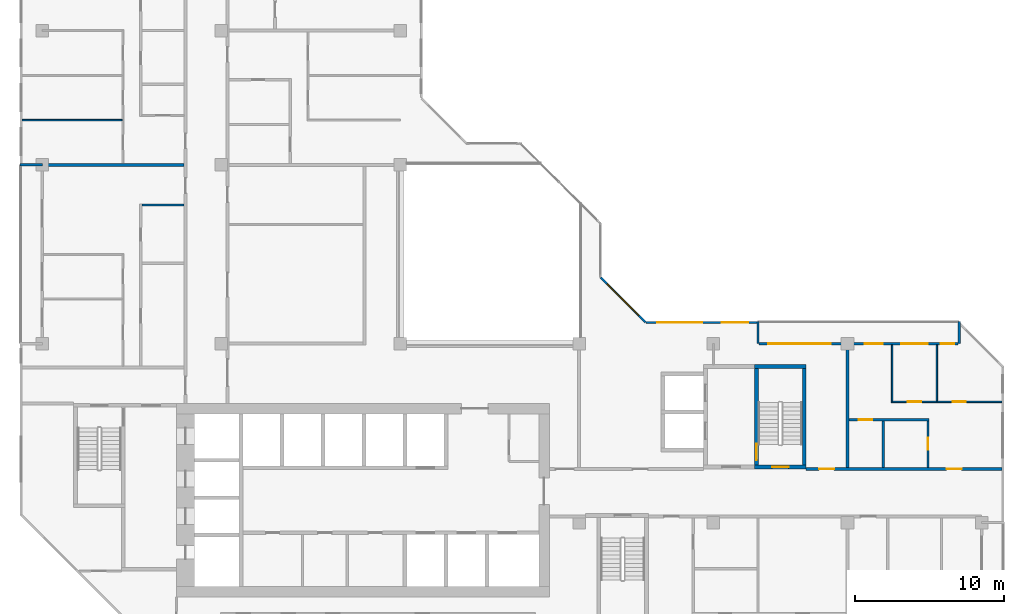
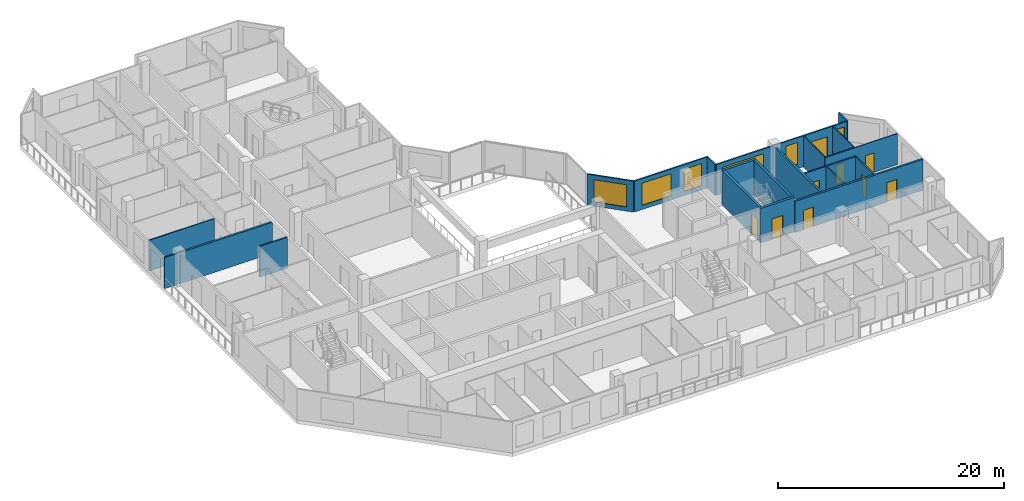
# One storey, part 8 of 16: 21 walls, 9 doors, 6 windows, 15 openings.
"""IFC4 building model written with IfcOpenShell, lengths in metres."""

import ifcopenshell
import ifcopenshell.guid

model = None  # the IFC model being written
_history = None  # IfcOwnerHistory: only IFC2X3 demands one
_inside = {}  # id of a spatial element -> (the spatial element, [elements in it])
_under = {}  # id of a project, library or spatial element -> (it, [spatial elements below it])
_declared = {}  # id of a project -> (the project, [libraries it declares])
_typed = {}  # id of a type object -> (the type object, [elements of that type])
_made_of = {}  # id of a material, layer set ... -> (it, [elements and type objects made of it])


def new_model(schema):
    """Start an empty IFC model of exactly this schema.

    Asked for "IFC4X3", IfcOpenShell would pick the latest addendum, in which some entities
    have other attributes; the version numbers below select the first issue.
    IFC2X3 requires an IfcOwnerHistory on every rooted entity: one is made here for all.
    """
    global model, _history
    if schema == "IFC4X3":
        model = ifcopenshell.file(schema_version=(4, 3, 0, 0))
    else:
        model = ifcopenshell.file(schema=schema)
    _inside.clear()
    _under.clear()
    _declared.clear()
    _typed.clear()
    _made_of.clear()
    _history = None
    if model.schema == "IFC2X3":
        org = make("IfcOrganization", Name="unknown")
        user = make(
            "IfcPersonAndOrganization",
            ThePerson=make("IfcPerson", FamilyName="unknown"),
            TheOrganization=org,
        )
        app = make(
            "IfcApplication",
            ApplicationDeveloper=org,
            Version="unknown",
            ApplicationFullName="unknown",
            ApplicationIdentifier="unknown",
        )
        _history = make(
            "IfcOwnerHistory",
            OwningUser=user,
            OwningApplication=app,
            ChangeAction="ADDED",
            CreationDate=0,
        )
    return model


def make(cls, **values):
    """One entity of the class cls with the attributes given. An attribute that is None is left unset."""
    return model.create_entity(
        cls, **{name: value for name, value in values.items() if value is not None}
    )


def rooted(cls, **values):
    """An entity with a GlobalId (a new one), such as an element, a storey or a relation."""
    return make(cls, GlobalId=ifcopenshell.guid.new(), OwnerHistory=_history, **values)


def si_unit(unit_type, name, prefix=None):
    """IfcSIUnit, for example si_unit("LENGTHUNIT", "METRE", prefix="MILLI")."""
    return make("IfcSIUnit", UnitType=unit_type, Prefix=prefix, Name=name)


def assignment(units):
    """IfcUnitAssignment: the units of a project."""
    return None if units is None else make("IfcUnitAssignment", Units=units)


def point(xyz):
    """IfcCartesianPoint."""
    return None if xyz is None else make("IfcCartesianPoint", Coordinates=xyz)


def direction(xyz):
    """IfcDirection."""
    return None if xyz is None else make("IfcDirection", DirectionRatios=xyz)


def frame(location, z_axis=None, x_axis=None):
    """IfcAxis2Placement3D, a coordinate frame: its origin and axes. An axis left out is left unset."""
    return make(
        "IfcAxis2Placement3D",
        Location=point(location),
        Axis=direction(z_axis),
        RefDirection=direction(x_axis),
    )


def frame_2d(location, x_axis=None):
    """IfcAxis2Placement2D, a coordinate frame in the plane: its origin and x axis."""
    return make(
        "IfcAxis2Placement2D", Location=point(location), RefDirection=direction(x_axis)
    )


def origin():
    """The frame at (0, 0, 0) with its axes left unset."""
    return frame((0.0, 0.0, 0.0))


def place(relative_to, where):
    """IfcLocalPlacement: puts the frame where relative to a parent placement (None: the world)."""
    return make(
        "IfcLocalPlacement", PlacementRelTo=relative_to, RelativePlacement=where
    )


def context(
    kind, dimensions, precision=None, world=None, true_north=None, identifier=None
):
    """IfcGeometricRepresentationContext, for example the 3D "Model" context."""
    return make(
        "IfcGeometricRepresentationContext",
        ContextIdentifier=identifier,
        ContextType=kind,
        CoordinateSpaceDimension=dimensions,
        Precision=precision,
        WorldCoordinateSystem=world,
        TrueNorth=true_north,
    )


def subcontext(parent, identifier, kind, view, scale=None):
    """IfcGeometricRepresentationSubContext, for example "Body" below "Model"."""
    return make(
        "IfcGeometricRepresentationSubContext",
        ContextIdentifier=identifier,
        ContextType=kind,
        ParentContext=parent,
        TargetScale=scale,
        TargetView=view,
    )


def project(units=None, contexts=None):
    """IfcProject with its units and contexts."""
    return rooted(
        "IfcProject",
        Name="project",
        RepresentationContexts=contexts,
        UnitsInContext=assignment(units),
    )


def spatial(cls, under=None, at=None, **own):
    """A site, building, storey or space (cls), placed at a placement, below another one or the project."""
    s = rooted(cls, ObjectPlacement=at, **own)
    if under is not None:
        _under.setdefault(under.id(), (under, []))[1].append(s)
    return s


def profile(cls, at=None, kind="AREA", **sizes):
    """A parametric profile (cls). Its sizes go by their IFC names, for example OverallWidth=200.0."""
    return make(cls, ProfileType=kind, Position=at, **sizes)


def rectangle(**sizes):
    """IfcRectangleProfileDef."""
    return profile("IfcRectangleProfileDef", **sizes)


def extrude(swept, where, along, depth):
    """IfcExtrudedAreaSolid: the profile swept, set in the frame where, extruded along a direction by depth."""
    return make(
        "IfcExtrudedAreaSolid",
        SweptArea=swept,
        Position=where,
        ExtrudedDirection=direction(along),
        Depth=depth,
    )


def shape(context_of_items, identifier, shape_type, items):
    """IfcShapeRepresentation: the items that make up one representation, for example the "Body"."""
    return make(
        "IfcShapeRepresentation",
        ContextOfItems=context_of_items,
        RepresentationIdentifier=identifier,
        RepresentationType=shape_type,
        Items=items,
    )


def material(Name=None, Category=None):
    """IfcMaterial."""
    return make("IfcMaterial", Name=Name, Category=Category)


def layer(
    of_material, thickness, ventilated=None, Name=None, Category=None, Priority=None
):
    """IfcMaterialLayer: one layer of a wall or slab, of a material (None: an air gap)."""
    return make(
        "IfcMaterialLayer",
        Material=of_material,
        LayerThickness=thickness,
        IsVentilated=ventilated,
        Name=Name,
        Category=Category,
        Priority=Priority,
    )


def layer_set(layers, Name=None):
    """IfcMaterialLayerSet."""
    return make("IfcMaterialLayerSet", MaterialLayers=layers, LayerSetName=Name)


def made_of(thing, what):
    """Note that an element or type object is made of a material, layer set ...; save() writes the relation."""
    if what is not None:
        _made_of.setdefault(what.id(), (what, []))[1].append(thing)
    return thing


def type_object(cls, material=None, **own):
    """A type object (cls), such as IfcWallType, which elements share."""
    return made_of(rooted(cls, **own), material)


def element(
    cls,
    number,
    at=None,
    inside=None,
    cuts=None,
    type_object=None,
    material=None,
    context=None,
    identifier="Body",
    shape_type=None,
    held_by="IfcProductDefinitionShape",
    body=None,
    shapes=None,
    **own,
):
    """One element of the class cls, such as IfcWall. Its Tag is "e" and its number.

    at: its placement. inside: the storey or other place that contains it. cuts: it is an
    opening in that element (IfcRelVoidsElement). A single representation is given by context,
    identifier, shape_type and body (its items); several are given by shapes. held_by: the class
    of the entity that holds the representations. save() writes the other relations.
    """
    e = rooted(cls, Tag="e%d" % number, ObjectPlacement=at, **own)
    if body is not None:
        shapes = [shape(context, identifier, shape_type, body)]
    if shapes is not None:
        e.Representation = make(held_by, Representations=shapes)
    if inside is not None:
        _inside.setdefault(inside.id(), (inside, []))[1].append(e)
    if cuts is not None:
        rooted(
            "IfcRelVoidsElement", RelatingBuildingElement=cuts, RelatedOpeningElement=e
        )
    if type_object is not None:
        _typed.setdefault(type_object.id(), (type_object, []))[1].append(e)
    return made_of(e, material)


def fill(opening, filler):
    """IfcRelFillsElement: the door or window that sits in an opening."""
    return rooted(
        "IfcRelFillsElement",
        RelatingOpeningElement=opening,
        RelatedBuildingElement=filler,
    )


def aggregate(whole, parts):
    """IfcRelAggregates: a whole, such as a stair, and the parts it consists of."""
    return rooted("IfcRelAggregates", RelatingObject=whole, RelatedObjects=parts)


def save(model, path):
    """Write the relations noted so far, then the file.

    IfcRelAggregates (storeys below a building ...), IfcRelContainedInSpatialStructure (elements
    in a storey), IfcRelDefinesByType, IfcRelAssociatesMaterial and IfcRelDeclares: one each for
    every whole, place, type object, material and project.
    """
    for whole, parts in _under.values():
        aggregate(whole, parts)
    for where, things in _inside.values():
        rooted(
            "IfcRelContainedInSpatialStructure",
            RelatedElements=things,
            RelatingStructure=where,
        )
    for kind, things in _typed.values():
        rooted("IfcRelDefinesByType", RelatedObjects=things, RelatingType=kind)
    for what, things in _made_of.values():
        rooted("IfcRelAssociatesMaterial", RelatedObjects=things, RelatingMaterial=what)
    for by, libraries in _declared.values():
        rooted("IfcRelDeclares", RelatingContext=by, RelatedDefinitions=libraries)
    model.write(path)


model = new_model("IFC4")

# Units and contexts
model_context = context("Model", 3, precision=1e-05, world=origin(), true_north=direction((0.0, 1.0)))
body_context = subcontext(model_context, "Body", "Model", "MODEL_VIEW")
ifc_project = project(units=[si_unit("LENGTHUNIT", "METRE"), si_unit("AREAUNIT", "SQUARE_METRE"), si_unit("VOLUMEUNIT", "CUBIC_METRE"), si_unit("PLANEANGLEUNIT", "RADIAN"), si_unit("MASSUNIT", "GRAM", prefix="KILO")], contexts=[model_context])

# Site, building, storey
site_placement = place(None, origin())
site = spatial("IfcSite", under=ifc_project, at=site_placement, CompositionType="ELEMENT")
building_placement = place(site_placement, origin())
building = spatial("IfcBuilding", under=site, at=building_placement, Name="Chenar Terraces", CompositionType="ELEMENT")
storey_placement = place(building_placement, frame((0.0, 0.0, 222.89990234375)))
storey = spatial("IfcBuildingStorey", under=building, at=storey_placement, Name="L52", CompositionType="ELEMENT", Elevation=222.89990234375)

# Wall, opening, door
ifc_material_1 = material(Name="Concrete C60/75", Category="concrete")
ifc_layer_1 = layer(ifc_material_1, 0.25)
ifc_layer_set_1 = layer_set([ifc_layer_1], Name="Concrete C60/75")
wall_type_1 = type_object("IfcWallType", Name="Core wall 250 Concrete C60/75", PredefinedType="SHEAR", material=ifc_layer_set_1)
wall_1_placement = place(storey_placement, frame((47.77490234375, 15.72509765625, 0.0), z_axis=(0.0, 0.0, 1.0), x_axis=(1.0, 0.0, 0.0)))
wall_1 = element("IfcWall", 1, at=wall_1_placement, inside=storey, type_object=wall_type_1, Name="Core wall ST3_S L52", PredefinedType="SHEAR", context=body_context, shape_type="SweptSolid", body=[
    extrude(rectangle(XDim=3.4501953125, YDim=0.25, at=frame_2d((1.72509765625, 0.0))), origin(), (0.0, 0.0, 1.0), 3.75),
])
opening_1_placement = place(wall_1_placement, frame((1.175048828125, 0.0, 0.0)))
opening_1 = element("IfcOpeningElement", 2, at=opening_1_placement, cuts=wall_1, Name="Opening DL52-C8", PredefinedType="OPENING", context=body_context, shape_type="SweptSolid", body=[
    extrude(rectangle(XDim=1.10009765625, YDim=2.199951171875, at=frame_2d((0.550048828125, 1.10009765625))), frame((0.0, 0.135009765625, 0.0), z_axis=(0.0, -1.0, 0.0), x_axis=(1.0, 0.0, 0.0)), (0.0, 0.0, 1.0), 0.27001953125),
])
ifc_material_2 = material(Name="Steel-framed fire-resisting door leaf", Category="steel")
door_type_1 = type_object("IfcDoorType", Name="Stair fire door FD60 1100 x 2200", OperationType="SINGLE_SWING_LEFT", PredefinedType="DOOR", material=ifc_material_2)
door_1_placement = place(opening_1_placement, frame((1.10009765625, 0.0, 0.0), z_axis=(0.0, 0.0, 1.0), x_axis=(-1.0, 0.0, 0.0)))
door_1 = element("IfcDoor", 3, at=door_1_placement, inside=storey, type_object=door_type_1, Name="Stair door DL52-C8", OperationType="SINGLE_SWING_LEFT", OverallHeight=2.199951171875, OverallWidth=1.10009765625, PredefinedType="DOOR", context=body_context, shape_type="SweptSolid", body=[
    extrude(rectangle(XDim=1.10009765625, YDim=2.199951171875, at=frame_2d((0.550048828125, 1.10009765625))), frame((0.0, 0.02490234375, 0.0), z_axis=(0.0, -1.0, 0.0), x_axis=(1.0, 0.0, 0.0)), (0.0, 0.0, 1.0), 0.050048828125),
])
fill(opening_1, door_1)

# Wall
wall_2_placement = place(storey_placement, frame((47.77490234375, 22.47509765625, 0.0), z_axis=(0.0, 0.0, 1.0), x_axis=(1.0, 0.0, 0.0)))
element("IfcWall", 4, at=wall_2_placement, inside=storey, type_object=wall_type_1, Name="Core wall ST3_N L52", PredefinedType="SHEAR", context=body_context, shape_type="SweptSolid", body=[
    extrude(rectangle(XDim=3.4501953125, YDim=0.25, at=frame_2d((1.72509765625, 0.0))), origin(), (0.0, 0.0, 1.0), 3.75),
])

# Wall, opening, door
wall_3_placement = place(storey_placement, frame((47.89990234375, 15.85009765625, 0.0), z_axis=(0.0, 0.0, 1.0), x_axis=(0.0, 1.0, 0.0)))
wall_3 = element("IfcWall", 5, at=wall_3_placement, inside=storey, type_object=wall_type_1, Name="Core wall ST3_W L52", PredefinedType="SHEAR", context=body_context, shape_type="SweptSolid", body=[
    extrude(rectangle(XDim=6.5, YDim=0.25, at=frame_2d((3.25, 0.0))), origin(), (0.0, 0.0, 1.0), 3.75),
])
opening_2_placement = place(wall_3_placement, frame((0.35009765625, 0.0, 0.0)))
opening_2 = element("IfcOpeningElement", 6, at=opening_2_placement, cuts=wall_3, Name="Opening DL52-C11", PredefinedType="OPENING", context=body_context, shape_type="SweptSolid", body=[
    extrude(rectangle(XDim=1.10009765625, YDim=2.199951171875, at=frame_2d((0.550048828125, 1.10009765625))), frame((0.0, 0.135009765625, 0.0), z_axis=(0.0, -1.0, 0.0), x_axis=(1.0, 0.0, 0.0)), (0.0, 0.0, 1.0), 0.27001953125),
])
door_2_placement = place(opening_2_placement, frame((1.10009765625, 0.0, 0.0), z_axis=(0.0, 0.0, 1.0), x_axis=(-1.0, 0.0, 0.0)))
door_2 = element("IfcDoor", 7, at=door_2_placement, inside=storey, type_object=door_type_1, Name="Stair door DL52-C11", OperationType="SINGLE_SWING_RIGHT", OverallHeight=2.199951171875, OverallWidth=1.10009765625, PredefinedType="DOOR", context=body_context, shape_type="SweptSolid", body=[
    extrude(rectangle(XDim=1.10009765625, YDim=2.199951171875, at=frame_2d((0.550048828125, 1.10009765625))), frame((0.0, 0.02490234375, 0.0), z_axis=(0.0, -1.0, 0.0), x_axis=(1.0, 0.0, 0.0)), (0.0, 0.0, 1.0), 0.050048828125),
])
fill(opening_2, door_2)

# Wall
wall_4_placement = place(storey_placement, frame((51.10009765625, 15.85009765625, 0.0), z_axis=(0.0, 0.0, 1.0), x_axis=(0.0, 1.0, 0.0)))
element("IfcWall", 8, at=wall_4_placement, inside=storey, type_object=wall_type_1, Name="Core wall ST3_E L52", PredefinedType="SHEAR", context=body_context, shape_type="SweptSolid", body=[
    extrude(rectangle(XDim=6.5, YDim=0.25, at=frame_2d((3.25, 0.0))), origin(), (0.0, 0.0, 1.0), 3.75),
])

# Wall, openings, doors
ifc_material_3 = material(Name="Gypsum board on steel studs with fire boards", Category="steel")
ifc_layer_2 = layer(ifc_material_3, 0.199951171875)
ifc_layer_set_2 = layer_set([ifc_layer_2], Name="Gypsum board on steel studs with fire boards")
wall_type_2 = type_object("IfcWallType", Name="Corridor wall 200", PredefinedType="PARTITIONING", material=ifc_layer_set_2)
wall_5_placement = place(storey_placement, frame((51.22509765625, 15.60009765625, 0.0), z_axis=(0.0, 0.0, 1.0), x_axis=(1.0, 0.0, 0.0)))
wall_5 = element("IfcWall", 9, at=wall_5_placement, inside=storey, type_object=wall_type_2, Name="Partition L52-076", PredefinedType="PARTITIONING", context=body_context, shape_type="SweptSolid", body=[
    extrude(rectangle(XDim=13.125, YDim=0.199951171875, at=frame_2d((6.5625, 0.0))), origin(), (0.0, 0.0, 1.0), 3.35009765625),
])
opening_3_placement = place(wall_5_placement, frame((9.425048828125, 0.0, 0.0)))
opening_3 = element("IfcOpeningElement", 10, at=opening_3_placement, cuts=wall_5, Name="Opening DL52-8", PredefinedType="OPENING", context=body_context, shape_type="SweptSolid", body=[
    extrude(rectangle(XDim=1.0, YDim=2.10009765625, at=frame_2d((0.5, 1.050048828125))), frame((0.0, 0.10986328125, 0.0), z_axis=(0.0, -1.0, 0.0), x_axis=(1.0, 0.0, 0.0)), (0.0, 0.0, 1.0), 0.219970703125),
])
opening_4_placement = place(wall_5_placement, frame((0.875, 0.0, 0.0)))
opening_4 = element("IfcOpeningElement", 11, at=opening_4_placement, cuts=wall_5, Name="Opening DL52-42", PredefinedType="OPENING", context=body_context, shape_type="SweptSolid", body=[
    extrude(rectangle(XDim=1.0, YDim=2.10009765625, at=frame_2d((0.5, 1.050048828125))), frame((0.0, 0.10986328125, 0.0), z_axis=(0.0, -1.0, 0.0), x_axis=(1.0, 0.0, 0.0)), (0.0, 0.0, 1.0), 0.219970703125),
])
ifc_material_4 = material(Name="Steel-framed fire-resisting door leaf", Category="steel")
door_type_2 = type_object("IfcDoorType", Name="Fire door FD30S 1000 x 2100", OperationType="SINGLE_SWING_LEFT", PredefinedType="DOOR", material=ifc_material_4)
door_3_placement = place(opening_3_placement, origin())
door_3 = element("IfcDoor", 12, at=door_3_placement, inside=storey, type_object=door_type_2, Name="Door DL52-8", OperationType="SINGLE_SWING_LEFT", OverallHeight=2.10009765625, OverallWidth=1.0, PredefinedType="DOOR", context=body_context, shape_type="SweptSolid", body=[
    extrude(rectangle(XDim=1.0, YDim=2.10009765625, at=frame_2d((0.5, 1.050048828125))), frame((0.0, 0.02490234375, 0.0), z_axis=(0.0, -1.0, 0.0), x_axis=(1.0, 0.0, 0.0)), (0.0, 0.0, 1.0), 0.050048828125),
])
fill(opening_3, door_3)
door_4_placement = place(opening_4_placement, origin())
door_4 = element("IfcDoor", 13, at=door_4_placement, inside=storey, type_object=door_type_2, Name="Door DL52-42", OperationType="SINGLE_SWING_RIGHT", OverallHeight=2.10009765625, OverallWidth=1.0, PredefinedType="DOOR", context=body_context, shape_type="SweptSolid", body=[
    extrude(rectangle(XDim=1.0, YDim=2.10009765625, at=frame_2d((0.5, 1.050048828125))), frame((0.0, 0.02490234375, 0.0), z_axis=(0.0, -1.0, 0.0), x_axis=(1.0, 0.0, 0.0)), (0.0, 0.0, 1.0), 0.050048828125),
])
fill(opening_4, door_4)

# Wall, openings, windows
ifc_material_5 = material(Name="Aluminium framed glazing", Category="aluminium")
ifc_layer_3 = layer(ifc_material_5, 0.14990234375)
ifc_layer_set_3 = layer_set([ifc_layer_3], Name="Aluminium framed glazing")
wall_type_3 = type_object("IfcWallType", Name="Glazed flush facade wall 150", PredefinedType="SOLIDWALL", material=ifc_layer_set_3)
wall_6_placement = place(storey_placement, frame((47.925048828125, 25.425048828125, 0.0), z_axis=(0.0, 0.0, 1.0), x_axis=(-1.0, 0.0, 0.0)))
wall_6 = element("IfcWall", 14, at=wall_6_placement, inside=storey, type_object=wall_type_3, Name="Glazed flush facade wall", PredefinedType="SOLIDWALL", context=body_context, shape_type="SweptSolid", body=[
    extrude(rectangle(XDim=7.425048828125, YDim=0.14990234375, at=frame_2d((3.71240234375, 0.0))), origin(), (0.0, 0.0, 1.0), 3.35009765625),
])
opening_5_placement = place(wall_6_placement, frame((0.5625, 0.0, 0.449951171875)))
opening_5 = element("IfcOpeningElement", 15, at=opening_5_placement, cuts=wall_6, Name="Opening W180x240", PredefinedType="OPENING", context=body_context, shape_type="SweptSolid", body=[
    extrude(rectangle(XDim=1.800048828125, YDim=2.39990234375, at=frame_2d((0.89990234375, 1.199951171875))), frame((0.0, 0.0849609375, 0.0), z_axis=(0.0, -1.0, 0.0), x_axis=(1.0, 0.0, 0.0)), (0.0, 0.0, 1.0), 0.169921875),
])
opening_6_placement = place(wall_6_placement, frame((3.675048828125, 0.0, 0.449951171875)))
opening_6 = element("IfcOpeningElement", 16, at=opening_6_placement, cuts=wall_6, Name="Opening W300x240", PredefinedType="OPENING", context=body_context, shape_type="SweptSolid", body=[
    extrude(rectangle(XDim=3.0, YDim=2.39990234375, at=frame_2d((1.5, 1.199951171875))), frame((0.0, 0.0849609375, 0.0), z_axis=(0.0, -1.0, 0.0), x_axis=(1.0, 0.0, 0.0)), (0.0, 0.0, 1.0), 0.169921875),
])
ifc_material_6 = material(Name="Low emissivity double glazing, aluminium frame", Category="aluminium")
window_type_1 = type_object("IfcWindowType", Name="Fixed light 1800 x 2400", PartitioningType="SINGLE_PANEL", PredefinedType="WINDOW", material=ifc_material_6)
window_1_placement = place(opening_5_placement, origin())
window_1 = element("IfcWindow", 17, at=window_1_placement, inside=storey, type_object=window_type_1, Name="Window", OverallHeight=2.39990234375, OverallWidth=1.800048828125, PartitioningType="SINGLE_PANEL", PredefinedType="WINDOW", context=body_context, shape_type="SweptSolid", body=[
    extrude(rectangle(XDim=1.800048828125, YDim=2.39990234375, at=frame_2d((0.89990234375, 1.199951171875))), frame((0.0, 0.030029296875, 0.0), z_axis=(0.0, -1.0, 0.0), x_axis=(1.0, 0.0, 0.0)), (0.0, 0.0, 1.0), 0.06005859375),
])
fill(opening_5, window_1)
ifc_material_7 = material(Name="Low emissivity double glazing, aluminium frame", Category="aluminium")
window_type_2 = type_object("IfcWindowType", Name="Fixed light 3000 x 2400", PartitioningType="SINGLE_PANEL", PredefinedType="WINDOW", material=ifc_material_7)
window_2_placement = place(opening_6_placement, origin())
window_2 = element("IfcWindow", 18, at=window_2_placement, inside=storey, type_object=window_type_2, Name="Window", OverallHeight=2.39990234375, OverallWidth=3.0, PartitioningType="SINGLE_PANEL", PredefinedType="WINDOW", context=body_context, shape_type="SweptSolid", body=[
    extrude(rectangle(XDim=3.0, YDim=2.39990234375, at=frame_2d((1.5, 1.199951171875))), frame((0.0, 0.030029296875, 0.0), z_axis=(0.0, -1.0, 0.0), x_axis=(1.0, 0.0, 0.0)), (0.0, 0.0, 1.0), 0.06005859375),
])
fill(opening_6, window_2)

# Wall, openings, windows, door
ifc_material_8 = material(Name="Aluminium framed glazing", Category="aluminium")
ifc_layer_4 = layer(ifc_material_8, 0.14990234375)
ifc_layer_set_4 = layer_set([ifc_layer_4], Name="Aluminium framed glazing")
wall_type_4 = type_object("IfcWallType", Name="Glazed loggia back wall 150", PredefinedType="SOLIDWALL", material=ifc_layer_set_4)
wall_7_placement = place(storey_placement, frame((61.425048828125, 24.0, 0.0), z_axis=(0.0, 0.0, 1.0), x_axis=(-1.0, 0.0, 0.0)))
wall_7 = element("IfcWall", 19, at=wall_7_placement, inside=storey, type_object=wall_type_4, Name="Glazed loggia back wall", PredefinedType="SOLIDWALL", context=body_context, shape_type="SweptSolid", body=[
    extrude(rectangle(XDim=13.35009765625, YDim=0.14990234375, at=frame_2d((6.675048828125, 0.0))), origin(), (0.0, 0.0, 1.0), 3.35009765625),
])
opening_7_placement = place(wall_7_placement, frame((0.262451171875, 0.0, 0.449951171875)))
opening_7 = element("IfcOpeningElement", 20, at=opening_7_placement, cuts=wall_7, Name="Opening W90x240", PredefinedType="OPENING", context=body_context, shape_type="SweptSolid", body=[
    extrude(rectangle(XDim=0.89990234375, YDim=2.39990234375, at=frame_2d((0.449951171875, 1.199951171875))), frame((0.0, 0.0849609375, 0.0), z_axis=(0.0, -1.0, 0.0), x_axis=(1.0, 0.0, 0.0)), (0.0, 0.0, 1.0), 0.169921875),
])
opening_8_placement = place(wall_7_placement, frame((2.02490234375, 0.0, 0.0)))
opening_8 = element("IfcOpeningElement", 21, at=opening_8_placement, cuts=wall_7, Name="Opening DL52-G1", PredefinedType="OPENING", context=body_context, shape_type="SweptSolid", body=[
    extrude(rectangle(XDim=1.800048828125, YDim=2.39990234375, at=frame_2d((0.89990234375, 1.199951171875))), frame((0.0, 0.0849609375, 0.0), z_axis=(0.0, -1.0, 0.0), x_axis=(1.0, 0.0, 0.0)), (0.0, 0.0, 1.0), 0.169921875),
])
opening_9_placement = place(wall_7_placement, frame((5.0625, 0.0, 0.449951171875)))
opening_9 = element("IfcOpeningElement", 22, at=opening_9_placement, cuts=wall_7, Name="Opening W120x240", PredefinedType="OPENING", context=body_context, shape_type="SweptSolid", body=[
    extrude(rectangle(XDim=1.199951171875, YDim=2.39990234375, at=frame_2d((0.60009765625, 1.199951171875))), frame((0.0, 0.0849609375, 0.0), z_axis=(0.0, -1.0, 0.0), x_axis=(1.0, 0.0, 0.0)), (0.0, 0.0, 1.0), 0.169921875),
])
opening_10_placement = place(wall_7_placement, frame((8.550048828125, 0.0, 0.449951171875)))
opening_10 = element("IfcOpeningElement", 23, at=opening_10_placement, cuts=wall_7, Name="Opening W420x240", PredefinedType="OPENING", context=body_context, shape_type="SweptSolid", body=[
    extrude(rectangle(XDim=4.199951171875, YDim=2.39990234375, at=frame_2d((2.10009765625, 1.199951171875))), frame((0.0, 0.0849609375, 0.0), z_axis=(0.0, -1.0, 0.0), x_axis=(1.0, 0.0, 0.0)), (0.0, 0.0, 1.0), 0.169921875),
])
ifc_material_9 = material(Name="Low emissivity double glazing, aluminium frame", Category="aluminium")
window_type_3 = type_object("IfcWindowType", Name="Fixed light 1200 x 2400", PartitioningType="SINGLE_PANEL", PredefinedType="WINDOW", material=ifc_material_9)
window_3_placement = place(opening_9_placement, origin())
window_3 = element("IfcWindow", 24, at=window_3_placement, inside=storey, type_object=window_type_3, Name="Window", OverallHeight=2.39990234375, OverallWidth=1.199951171875, PartitioningType="SINGLE_PANEL", PredefinedType="WINDOW", context=body_context, shape_type="SweptSolid", body=[
    extrude(rectangle(XDim=1.199951171875, YDim=2.39990234375, at=frame_2d((0.60009765625, 1.199951171875))), frame((0.0, 0.030029296875, 0.0), z_axis=(0.0, -1.0, 0.0), x_axis=(1.0, 0.0, 0.0)), (0.0, 0.0, 1.0), 0.06005859375),
])
fill(opening_9, window_3)
ifc_material_10 = material(Name="Low emissivity double glazing, aluminium frame", Category="aluminium")
window_type_4 = type_object("IfcWindowType", Name="Fixed light 4200 x 2400", PartitioningType="SINGLE_PANEL", PredefinedType="WINDOW", material=ifc_material_10)
window_4_placement = place(opening_10_placement, origin())
window_4 = element("IfcWindow", 25, at=window_4_placement, inside=storey, type_object=window_type_4, Name="Window", OverallHeight=2.39990234375, OverallWidth=4.199951171875, PartitioningType="SINGLE_PANEL", PredefinedType="WINDOW", context=body_context, shape_type="SweptSolid", body=[
    extrude(rectangle(XDim=4.199951171875, YDim=2.39990234375, at=frame_2d((2.10009765625, 1.199951171875))), frame((0.0, 0.030029296875, 0.0), z_axis=(0.0, -1.0, 0.0), x_axis=(1.0, 0.0, 0.0)), (0.0, 0.0, 1.0), 0.06005859375),
])
fill(opening_10, window_4)
ifc_material_11 = material(Name="Low emissivity double glazing, aluminium frame", Category="aluminium")
window_type_5 = type_object("IfcWindowType", Name="Fixed light 900 x 2400", PartitioningType="SINGLE_PANEL", PredefinedType="WINDOW", material=ifc_material_11)
window_5_placement = place(opening_7_placement, origin())
window_5 = element("IfcWindow", 26, at=window_5_placement, inside=storey, type_object=window_type_5, Name="Window", OverallHeight=2.39990234375, OverallWidth=0.89990234375, PartitioningType="SINGLE_PANEL", PredefinedType="WINDOW", context=body_context, shape_type="SweptSolid", body=[
    extrude(rectangle(XDim=0.89990234375, YDim=2.39990234375, at=frame_2d((0.449951171875, 1.199951171875))), frame((0.0, 0.030029296875, 0.0), z_axis=(0.0, -1.0, 0.0), x_axis=(1.0, 0.0, 0.0)), (0.0, 0.0, 1.0), 0.06005859375),
])
fill(opening_7, window_5)
ifc_material_12 = material(Name="Low emissivity double glazing, aluminium frame", Category="aluminium")
door_type_3 = type_object("IfcDoorType", Name="Loggia glazed double door 1800 x 2400", OperationType="DOUBLE_DOOR_SINGLE_SWING", PredefinedType="DOOR", material=ifc_material_12)
door_5_placement = place(opening_8_placement, frame((1.800048828125, 0.0, 0.0), z_axis=(0.0, 0.0, 1.0), x_axis=(-1.0, 0.0, 0.0)))
door_5 = element("IfcDoor", 27, at=door_5_placement, inside=storey, type_object=door_type_3, Name="Loggia glazed door", OperationType="DOUBLE_DOOR_SINGLE_SWING", OverallHeight=2.39990234375, OverallWidth=1.800048828125, PredefinedType="DOOR", context=body_context, shape_type="SweptSolid", body=[
    extrude(rectangle(XDim=1.800048828125, YDim=2.39990234375, at=frame_2d((0.89990234375, 1.199951171875))), frame((0.0, 0.02490234375, 0.0), z_axis=(0.0, -1.0, 0.0), x_axis=(1.0, 0.0, 0.0)), (0.0, 0.0, 1.0), 0.050048828125),
])
fill(opening_8, door_5)

# Wall
ifc_material_13 = material(Name="Gypsum board on steel studs", Category="steel")
ifc_layer_5 = layer(ifc_material_13, 0.10009765625)
ifc_layer_set_5 = layer_set([ifc_layer_5], Name="Gypsum board on steel studs")
wall_type_5 = type_object("IfcWallType", Name="Gypsum partition 100", PredefinedType="PARTITIONING", material=ifc_layer_set_5)
wall_8_placement = place(storey_placement, frame((-1.35107421875, 39.0, 0.0), z_axis=(0.0, 0.0, 1.0), x_axis=(1.0, 0.0, 0.0)))
element("IfcWall", 28, at=wall_8_placement, inside=storey, type_object=wall_type_5, Name="Partition L52-001", PredefinedType="PARTITIONING", context=body_context, shape_type="SweptSolid", body=[
    extrude(rectangle(XDim=6.701171875, YDim=0.10009765625, at=frame_2d((3.3505859375, 0.0))), origin(), (0.0, 0.0, 1.0), 3.35009765625),
])

# Wall, openings, doors
wall_9_placement = place(storey_placement, frame((56.949951171875, 20.10009765625, 0.0), z_axis=(0.0, 0.0, 1.0), x_axis=(1.0, 0.0, 0.0)))
wall_9 = element("IfcWall", 29, at=wall_9_placement, inside=storey, type_object=wall_type_5, Name="Partition L52-084", PredefinedType="PARTITIONING", context=body_context, shape_type="SweptSolid", body=[
    extrude(rectangle(XDim=7.400146484375, YDim=0.10009765625, at=frame_2d((3.7001953125, 0.0))), origin(), (0.0, 0.0, 1.0), 3.35009765625),
])
opening_11_placement = place(wall_9_placement, frame((1.10009765625, 0.0, 0.0)))
opening_11 = element("IfcOpeningElement", 30, at=opening_11_placement, cuts=wall_9, Name="Opening DL52-5", PredefinedType="OPENING", context=body_context, shape_type="SweptSolid", body=[
    extrude(rectangle(XDim=0.89990234375, YDim=2.10009765625, at=frame_2d((0.449951171875, 1.050048828125))), frame((0.0, 0.06005859375, 0.0), z_axis=(0.0, -1.0, 0.0), x_axis=(1.0, 0.0, 0.0)), (0.0, 0.0, 1.0), 0.1201171875),
])
opening_12_placement = place(wall_9_placement, frame((4.10009765625, 0.0, 0.0)))
opening_12 = element("IfcOpeningElement", 31, at=opening_12_placement, cuts=wall_9, Name="Opening DL52-6", PredefinedType="OPENING", context=body_context, shape_type="SweptSolid", body=[
    extrude(rectangle(XDim=0.89990234375, YDim=2.10009765625, at=frame_2d((0.449951171875, 1.050048828125))), frame((0.0, 0.06005859375, 0.0), z_axis=(0.0, -1.0, 0.0), x_axis=(1.0, 0.0, 0.0)), (0.0, 0.0, 1.0), 0.1201171875),
])
ifc_material_14 = material(Name="Veneered timber door leaf", Category="wood")
door_type_4 = type_object("IfcDoorType", Name="Door 900 x 2100", OperationType="SINGLE_SWING_LEFT", PredefinedType="DOOR", material=ifc_material_14)
door_6_placement = place(opening_11_placement, origin())
door_6 = element("IfcDoor", 32, at=door_6_placement, inside=storey, type_object=door_type_4, Name="Door DL52-5", OperationType="SINGLE_SWING_LEFT", OverallHeight=2.10009765625, OverallWidth=0.89990234375, PredefinedType="DOOR", context=body_context, shape_type="SweptSolid", body=[
    extrude(rectangle(XDim=0.89990234375, YDim=2.10009765625, at=frame_2d((0.449951171875, 1.050048828125))), frame((0.0, 0.02490234375, 0.0), z_axis=(0.0, -1.0, 0.0), x_axis=(1.0, 0.0, 0.0)), (0.0, 0.0, 1.0), 0.050048828125),
])
fill(opening_11, door_6)
door_7_placement = place(opening_12_placement, origin())
door_7 = element("IfcDoor", 33, at=door_7_placement, inside=storey, type_object=door_type_4, Name="Door DL52-6", OperationType="SINGLE_SWING_LEFT", OverallHeight=2.10009765625, OverallWidth=0.89990234375, PredefinedType="DOOR", context=body_context, shape_type="SweptSolid", body=[
    extrude(rectangle(XDim=0.89990234375, YDim=2.10009765625, at=frame_2d((0.449951171875, 1.050048828125))), frame((0.0, 0.02490234375, 0.0), z_axis=(0.0, -1.0, 0.0), x_axis=(1.0, 0.0, 0.0)), (0.0, 0.0, 1.0), 0.050048828125),
])
fill(opening_12, door_7)

# Walls
for number, where, z_axis, x_axis, name in (
    (34, (57.0, 20.14990234375, 0.0), (0.0, 0.0, 1.0), (0.0, 1.0, 0.0), "Partition L52-086"),
    (35, (60.0, 20.14990234375, 0.0), (0.0, 0.0, 1.0), (0.0, 1.0, 0.0), "Partition L52-089"),
):
    element("IfcWall", number, at=place(storey_placement, frame(where, z_axis=z_axis, x_axis=x_axis)), inside=storey, type_object=wall_type_5, Name=name, PredefinedType="PARTITIONING", context=body_context, shape_type="SweptSolid", body=[
        extrude(rectangle(XDim=3.776123046875, YDim=0.10009765625, at=frame_2d((1.88818359375, 0.0))), origin(), (0.0, 0.0, 1.0), 3.35009765625),
    ])
ifc_material_15 = material(Name="Terracotta cladding on insulated backing", Category="masonry")
ifc_layer_6 = layer(ifc_material_15, 0.14990234375)
ifc_layer_set_6 = layer_set([ifc_layer_6], Name="Terracotta cladding on insulated backing")
wall_type_6 = type_object("IfcWallType", Name="Loggia return wall 150", PredefinedType="SOLIDWALL", material=ifc_layer_set_6)
for number, where, z_axis, x_axis, name in (
    (36, (61.5, 25.5, 0.0), (0.0, 0.0, 1.0), (0.0, -1.0, 0.0), "Loggia return wall"),
    (37, (48.0, 25.5, 0.0), (0.0, 0.0, 1.0), (0.0, -1.0, 0.0), "Loggia return wall"),
    (38, (-1.5, 36.0, 0.0), (0.0, 0.0, 1.0), (1.0, 0.0, 0.0), "Loggia return wall"),
):
    element("IfcWall", number, at=place(storey_placement, frame(where, z_axis=z_axis, x_axis=x_axis)), inside=storey, type_object=wall_type_6, Name=name, PredefinedType="SOLIDWALL", context=body_context, shape_type="SweptSolid", body=[
        extrude(rectangle(XDim=1.5, YDim=0.14990234375, at=frame_2d((0.75, 0.0))), origin(), (0.0, 0.0, 1.0), 3.35009765625),
    ])

# Wall, opening, window
ifc_material_16 = material(Name="Terracotta cladding on insulated backing", Category="masonry")
ifc_layer_7 = layer(ifc_material_16, 0.14990234375)
ifc_layer_set_7 = layer_set([ifc_layer_7], Name="Terracotta cladding on insulated backing")
wall_type_7 = type_object("IfcWallType", Name="Terracotta rainscreen wall 150", PredefinedType="SOLIDWALL", material=ifc_layer_set_7)
wall_10_placement = place(storey_placement, frame((40.447021484375, 25.447021484375, 0.0), z_axis=(0.0, 0.0, 1.0), x_axis=(-0.707106781187, 0.707106781187, 0.0)))
wall_10 = element("IfcWall", 39, at=wall_10_placement, inside=storey, type_object=wall_type_7, Name="Terracotta rainscreen wall", PredefinedType="SOLIDWALL", context=body_context, shape_type="SweptSolid", body=[
    extrude(rectangle(XDim=4.24267578125, YDim=0.14990234375, at=frame_2d((2.121337890625, 0.0))), origin(), (0.0, 0.0, 1.0), 3.35009765625),
])
opening_13_placement = place(wall_10_placement, frame((0.621337890625, 0.0, 0.449951171875)))
opening_13 = element("IfcOpeningElement", 40, at=opening_13_placement, cuts=wall_10, Name="Opening W300x240", PredefinedType="OPENING", context=body_context, shape_type="SweptSolid", body=[
    extrude(rectangle(XDim=3.0, YDim=2.39990234375, at=frame_2d((1.5, 1.199951171875))), frame((0.0, 0.0849609375, 0.0), z_axis=(0.0, -1.0, 0.0), x_axis=(1.0, 0.0, 0.0)), (0.0, 0.0, 1.0), 0.169921875),
])
window_6_placement = place(opening_13_placement, origin())
window_6 = element("IfcWindow", 41, at=window_6_placement, inside=storey, type_object=window_type_2, Name="Window", OverallHeight=2.39990234375, OverallWidth=3.0, PartitioningType="SINGLE_PANEL", PredefinedType="WINDOW", context=body_context, shape_type="SweptSolid", body=[
    extrude(rectangle(XDim=3.0, YDim=2.39990234375, at=frame_2d((1.5, 1.199951171875))), frame((0.0, 0.030029296875, 0.0), z_axis=(0.0, -1.0, 0.0), x_axis=(1.0, 0.0, 0.0)), (0.0, 0.0, 1.0), 0.06005859375),
])
fill(opening_13, window_6)

# Walls
ifc_material_17 = material(Name="Twin gypsum board on steel studs with mineral wool", Category="steel")
ifc_layer_8 = layer(ifc_material_17, 0.199951171875)
ifc_layer_set_8 = layer_set([ifc_layer_8], Name="Twin gypsum board on steel studs with mineral wool")
wall_type_8 = type_object("IfcWallType", Name="Unit demising wall 200", PredefinedType="PARTITIONING", material=ifc_layer_set_8)
wall_11_placement = place(storey_placement, frame((0.0, 36.0, 0.0), z_axis=(0.0, 0.0, 1.0), x_axis=(1.0, 0.0, 0.0)))
element("IfcWall", 42, at=wall_11_placement, inside=storey, type_object=wall_type_8, Name="Partition L52-005", PredefinedType="PARTITIONING", context=body_context, shape_type="SweptSolid", body=[
    extrude(rectangle(XDim=9.5, YDim=0.199951171875, at=frame_2d((4.75, 0.0))), origin(), (0.0, 0.0, 1.0), 3.35009765625),
])
wall_12_placement = place(storey_placement, frame((54.0, 15.699951171875, 0.0), z_axis=(0.0, 0.0, 1.0), x_axis=(0.0, 1.0, 0.0)))
element("IfcWall", 43, at=wall_12_placement, inside=storey, type_object=wall_type_8, Name="Partition L52-078", PredefinedType="PARTITIONING", context=body_context, shape_type="SweptSolid", body=[
    extrude(rectangle(XDim=8.22607421875, YDim=0.199951171875, at=frame_2d((4.113037109375, 0.0))), origin(), (0.0, 0.0, 1.0), 3.35009765625),
])
ifc_material_18 = material(Name="Moisture-resistant gypsum board on steel studs", Category="steel")
ifc_layer_9 = layer(ifc_material_18, 0.14990234375)
ifc_layer_set_9 = layer_set([ifc_layer_9], Name="Moisture-resistant gypsum board on steel studs")
wall_type_9 = type_object("IfcWallType", Name="Wet-room partition 150", PredefinedType="PARTITIONING", material=ifc_layer_set_9)
wall_13_placement = place(storey_placement, frame((6.675048828125, 33.300048828125, 0.0), z_axis=(0.0, 0.0, 1.0), x_axis=(1.0, 0.0, 0.0)))
element("IfcWall", 44, at=wall_13_placement, inside=storey, type_object=wall_type_9, Name="Partition L52-023", PredefinedType="PARTITIONING", context=body_context, shape_type="SweptSolid", body=[
    extrude(rectangle(XDim=2.824951171875, YDim=0.14990234375, at=frame_2d((1.41259765625, 0.0))), origin(), (0.0, 0.0, 1.0), 3.35009765625),
])

# Wall, opening, door
wall_14_placement = place(storey_placement, frame((54.10009765625, 18.89990234375, 0.0), z_axis=(0.0, 0.0, 1.0), x_axis=(1.0, 0.0, 0.0)))
wall_14 = element("IfcWall", 45, at=wall_14_placement, inside=storey, type_object=wall_type_9, Name="Partition L52-080", PredefinedType="PARTITIONING", context=body_context, shape_type="SweptSolid", body=[
    extrude(rectangle(XDim=5.375, YDim=0.14990234375, at=frame_2d((2.6875, 0.0))), origin(), (0.0, 0.0, 1.0), 3.35009765625),
])
opening_14_placement = place(wall_14_placement, frame((0.64990234375, 0.0, 0.0)))
opening_14 = element("IfcOpeningElement", 46, at=opening_14_placement, cuts=wall_14, Name="Opening DL52-7", PredefinedType="OPENING", context=body_context, shape_type="SweptSolid", body=[
    extrude(rectangle(XDim=0.89990234375, YDim=2.10009765625, at=frame_2d((0.449951171875, 1.050048828125))), frame((0.0, 0.0849609375, 0.0), z_axis=(0.0, -1.0, 0.0), x_axis=(1.0, 0.0, 0.0)), (0.0, 0.0, 1.0), 0.169921875),
])
door_8_placement = place(opening_14_placement, frame((0.89990234375, 0.0, 0.0), z_axis=(0.0, 0.0, 1.0), x_axis=(-1.0, 0.0, 0.0)))
door_8 = element("IfcDoor", 47, at=door_8_placement, inside=storey, type_object=door_type_4, Name="Door DL52-7", OperationType="SINGLE_SWING_LEFT", OverallHeight=2.10009765625, OverallWidth=0.89990234375, PredefinedType="DOOR", context=body_context, shape_type="SweptSolid", body=[
    extrude(rectangle(XDim=0.89990234375, YDim=2.10009765625, at=frame_2d((0.449951171875, 1.050048828125))), frame((0.0, 0.02490234375, 0.0), z_axis=(0.0, -1.0, 0.0), x_axis=(1.0, 0.0, 0.0)), (0.0, 0.0, 1.0), 0.050048828125),
])
fill(opening_14, door_8)

# Wall
wall_15_placement = place(storey_placement, frame((56.39990234375, 15.699951171875, 0.0), z_axis=(0.0, 0.0, 1.0), x_axis=(0.0, 1.0, 0.0)))
element("IfcWall", 48, at=wall_15_placement, inside=storey, type_object=wall_type_9, Name="Partition L52-081", PredefinedType="PARTITIONING", context=body_context, shape_type="SweptSolid", body=[
    extrude(rectangle(XDim=3.125, YDim=0.14990234375, at=frame_2d((1.5625, 0.0))), origin(), (0.0, 0.0, 1.0), 3.35009765625),
])

# Wall, opening, door
wall_16_placement = place(storey_placement, frame((59.39990234375, 15.699951171875, 0.0), z_axis=(0.0, 0.0, 1.0), x_axis=(0.0, 1.0, 0.0)))
wall_16 = element("IfcWall", 49, at=wall_16_placement, inside=storey, type_object=wall_type_9, Name="Partition L52-087", PredefinedType="PARTITIONING", context=body_context, shape_type="SweptSolid", body=[
    extrude(rectangle(XDim=3.125, YDim=0.14990234375, at=frame_2d((1.5625, 0.0))), origin(), (0.0, 0.0, 1.0), 3.35009765625),
])
opening_15_placement = place(wall_16_placement, frame((1.199951171875, 0.0, 0.0)))
opening_15 = element("IfcOpeningElement", 50, at=opening_15_placement, cuts=wall_16, Name="Opening DL52-4", PredefinedType="OPENING", context=body_context, shape_type="SweptSolid", body=[
    extrude(rectangle(XDim=0.800048828125, YDim=2.10009765625, at=frame_2d((0.39990234375, 1.050048828125))), frame((0.0, 0.0849609375, 0.0), z_axis=(0.0, -1.0, 0.0), x_axis=(1.0, 0.0, 0.0)), (0.0, 0.0, 1.0), 0.169921875),
])
ifc_material_19 = material(Name="Veneered timber door leaf", Category="wood")
door_type_5 = type_object("IfcDoorType", Name="Door 800 x 2100", OperationType="SINGLE_SWING_LEFT", PredefinedType="DOOR", material=ifc_material_19)
door_9_placement = place(opening_15_placement, origin())
door_9 = element("IfcDoor", 51, at=door_9_placement, inside=storey, type_object=door_type_5, Name="Door DL52-4", OperationType="SINGLE_SWING_RIGHT", OverallHeight=2.10009765625, OverallWidth=0.800048828125, PredefinedType="DOOR", context=body_context, shape_type="SweptSolid", body=[
    extrude(rectangle(XDim=0.800048828125, YDim=2.10009765625, at=frame_2d((0.39990234375, 1.050048828125))), frame((0.0, 0.02490234375, 0.0), z_axis=(0.0, -1.0, 0.0), x_axis=(1.0, 0.0, 0.0)), (0.0, 0.0, 1.0), 0.050048828125),
])
fill(opening_15, door_9)

save(model, "model.ifc")
